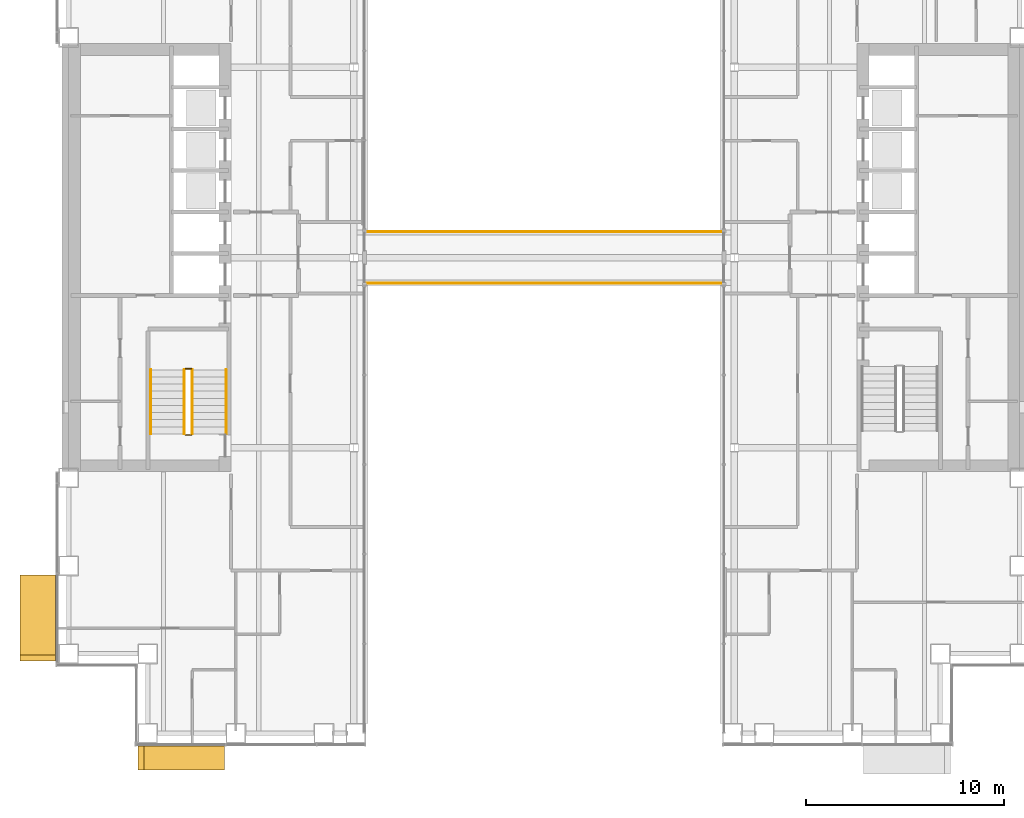
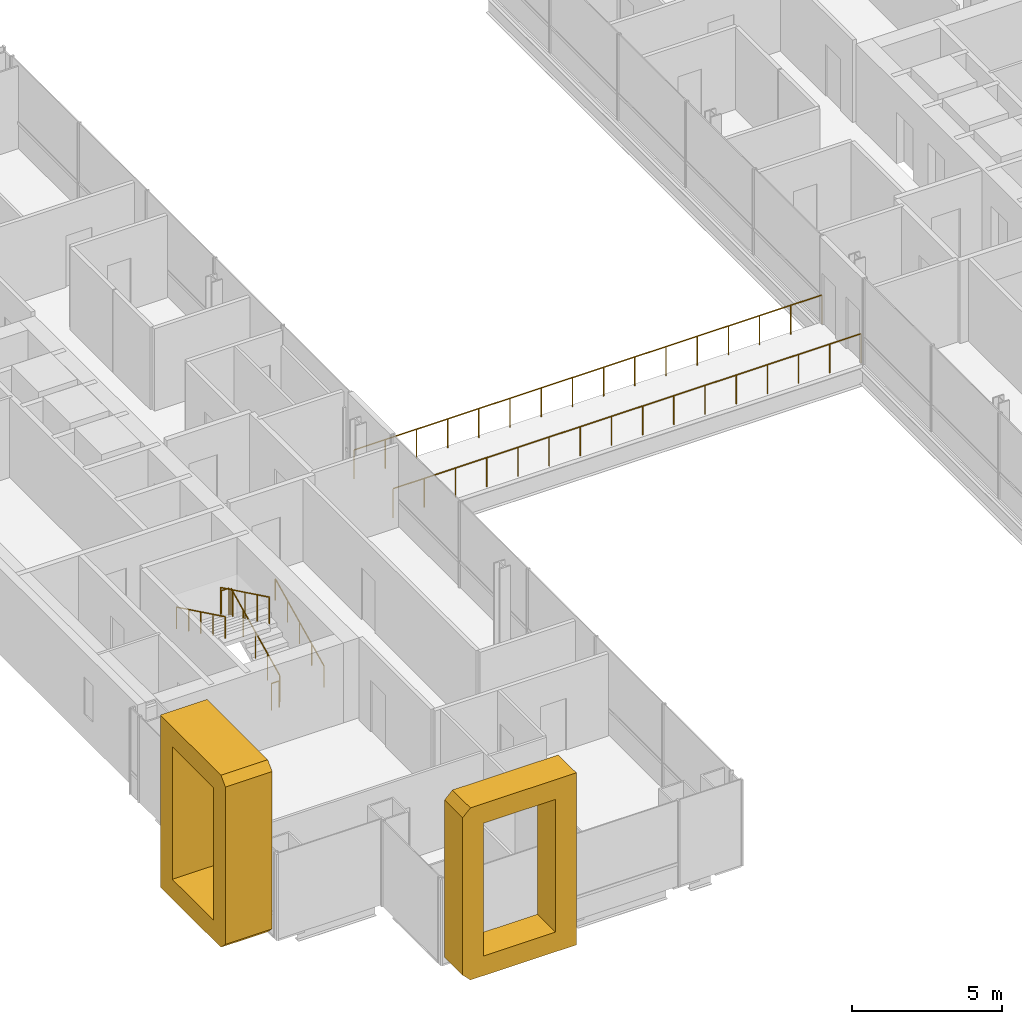
# One storey, part 18 of 21: 8 railings, 2 coverings.
"""IFC4 building model written with IfcOpenShell, lengths in metres."""

from ifc_helpers import new_model, si_unit, direction, frame, origin, origin_2d, place, context, subcontext, project, spatial, polyline, circle, outline, extrude, material, type_object, element, save


model = new_model("IFC4")

# Units and contexts
model_context = context("Model", 3, precision=1e-05, world=origin(), true_north=direction((0.0, 1.0)))
body_context = subcontext(model_context, "Body", "Model", "MODEL_VIEW")
ifc_project = project(units=[si_unit("LENGTHUNIT", "METRE"), si_unit("AREAUNIT", "SQUARE_METRE"), si_unit("VOLUMEUNIT", "CUBIC_METRE"), si_unit("PLANEANGLEUNIT", "RADIAN"), si_unit("MASSUNIT", "GRAM", prefix="KILO")], contexts=[model_context])

# Site, building, storey
site_placement = place(None, origin())
site = spatial("IfcSite", under=ifc_project, at=site_placement, CompositionType="ELEMENT")
building_placement = place(site_placement, origin())
building = spatial("IfcBuilding", under=site, at=building_placement, Name="Cobrizo Arcos Hotel Tower", CompositionType="ELEMENT")
storey_placement = place(building_placement, frame((0.0, 0.0, 74.0)))
storey = spatial("IfcBuildingStorey", under=building, at=storey_placement, Name="L17", CompositionType="ELEMENT", Elevation=74.0)

# Coverings
ifc_material_1 = material(Name="Aluminium 6063-T6 anodised bronze", Category="aluminium")
covering_type_1 = type_object("IfcCoveringType", Name="FIN-F 1200", PredefinedType="CLADDING", material=ifc_material_1)
covering_1_placement = place(storey_placement, frame((-20.5, -24.64990234375, 0.0), z_axis=(0.0, -1.0, 0.0), x_axis=(1.0, 0.0, 0.0)))
element("IfcCovering", 1, at=covering_1_placement, inside=storey, type_object=covering_type_1, Name="Fin frame 59", PredefinedType="CLADDING", context=body_context, shape_type="SweptSolid", body=[
    extrude(outline(polyline([(0.0, 0.300048828125), (0.300048828125, 0.0), (4.375, 0.0), (4.375, 7.0), (0.300048828125, 7.0), (0.0, 6.699951171875), (0.0, 0.300048828125)]), holes=[polyline([(3.574951171875, 0.800048828125), (0.800048828125, 0.800048828125), (0.800048828125, 6.199951171875), (3.574951171875, 6.199951171875), (3.574951171875, 0.800048828125)])]), origin(), (0.0, 0.0, 1.0), 1.2001953125),
])
covering_type_2 = type_object("IfcCoveringType", Name="FIN-F 1800", PredefinedType="CLADDING", material=ifc_material_1)
covering_2_placement = place(storey_placement, frame((-24.64990234375, -16.00830078125, 0.0), z_axis=(-1.0, 0.0, 0.0), x_axis=(0.0, -1.0, 0.0)))
element("IfcCovering", 2, at=covering_2_placement, inside=storey, type_object=covering_type_2, Name="Fin frame 82", PredefinedType="CLADDING", context=body_context, shape_type="SweptSolid", body=[
    extrude(outline(polyline([(0.0, 7.0), (0.0, 0.0), (4.041748046875, 0.0), (4.341796875, 0.300048828125), (4.341796875, 6.699951171875), (4.041748046875, 7.0), (0.0, 7.0)]), holes=[polyline([(3.541748046875, 0.800048828125), (0.800048828125, 0.800048828125), (0.800048828125, 6.199951171875), (3.541748046875, 6.199951171875), (3.541748046875, 0.800048828125)])]), origin(), (0.0, 0.0, 1.0), 1.800048828125),
])

# Railings
ifc_material_2 = material(Name="Stainless steel railing", Category="steel")
railing_type_1 = type_object("IfcRailingType", Name="Sky bridge guard 1200", PredefinedType="GUARDRAIL", material=ifc_material_2)
railing_1_placement = place(storey_placement, frame((-9.0, 1.300048828125, 0.0)))
element("IfcRailing", 3, at=railing_1_placement, inside=storey, type_object=railing_type_1, Name="Sky bridge north guard", PredefinedType="GUARDRAIL", context=body_context, shape_type="SweptSolid", body=[
    extrude(circle(Radius=0.02392578125, at=origin_2d()), frame((0.0, 0.0, 1.17578125), z_axis=(1.0, 0.0, 0.0), x_axis=(0.0, 1.0, 0.0)), (0.0, 0.0, 1.0), 18.0),
    extrude(circle(Radius=0.02099609375, at=origin_2d()), origin(), (0.0, 0.0, 1.0), 1.15185546875),
    extrude(circle(Radius=0.02099609375, at=origin_2d()), frame((1.199951171875, 0.0, 0.0)), (0.0, 0.0, 1.0), 1.15185546875),
    extrude(circle(Radius=0.02099609375, at=origin_2d()), frame((2.39990234375, 0.0, 0.0)), (0.0, 0.0, 1.0), 1.15185546875),
    extrude(circle(Radius=0.02099609375, at=origin_2d()), frame((3.60009765625, 0.0, 0.0)), (0.0, 0.0, 1.0), 1.15185546875),
    extrude(circle(Radius=0.02099609375, at=origin_2d()), frame((4.800048828125, 0.0, 0.0)), (0.0, 0.0, 1.0), 1.15185546875),
    extrude(circle(Radius=0.02099609375, at=origin_2d()), frame((6.0, 0.0, 0.0)), (0.0, 0.0, 1.0), 1.15185546875),
    extrude(circle(Radius=0.02099609375, at=origin_2d()), frame((7.199951171875, 0.0, 0.0)), (0.0, 0.0, 1.0), 1.15185546875),
    extrude(circle(Radius=0.02099609375, at=origin_2d()), frame((8.39990234375, 0.0, 0.0)), (0.0, 0.0, 1.0), 1.15185546875),
    extrude(circle(Radius=0.02099609375, at=origin_2d()), frame((9.60009765625, 0.0, 0.0)), (0.0, 0.0, 1.0), 1.15185546875),
    extrude(circle(Radius=0.02099609375, at=origin_2d()), frame((10.800048828125, 0.0, 0.0)), (0.0, 0.0, 1.0), 1.15185546875),
    extrude(circle(Radius=0.02099609375, at=origin_2d()), frame((12.0, 0.0, 0.0)), (0.0, 0.0, 1.0), 1.15185546875),
    extrude(circle(Radius=0.02099609375, at=origin_2d()), frame((13.199951171875, 0.0, 0.0)), (0.0, 0.0, 1.0), 1.15185546875),
    extrude(circle(Radius=0.02099609375, at=origin_2d()), frame((14.39990234375, 0.0, 0.0)), (0.0, 0.0, 1.0), 1.15185546875),
    extrude(circle(Radius=0.02099609375, at=origin_2d()), frame((15.60009765625, 0.0, 0.0)), (0.0, 0.0, 1.0), 1.15185546875),
    extrude(circle(Radius=0.02099609375, at=origin_2d()), frame((16.800048828125, 0.0, 0.0)), (0.0, 0.0, 1.0), 1.15185546875),
    extrude(circle(Radius=0.02099609375, at=origin_2d()), frame((18.0, 0.0, 0.0)), (0.0, 0.0, 1.0), 1.15185546875),
])
railing_2_placement = place(storey_placement, frame((-9.0, -1.300048828125, 0.0)))
element("IfcRailing", 4, at=railing_2_placement, inside=storey, type_object=railing_type_1, Name="Sky bridge south guard", PredefinedType="GUARDRAIL", context=body_context, shape_type="SweptSolid", body=[
    extrude(circle(Radius=0.02392578125, at=origin_2d()), frame((0.0, 0.0, 1.17578125), z_axis=(1.0, 0.0, 0.0), x_axis=(0.0, 1.0, 0.0)), (0.0, 0.0, 1.0), 18.0),
    extrude(circle(Radius=0.02099609375, at=origin_2d()), origin(), (0.0, 0.0, 1.0), 1.15185546875),
    extrude(circle(Radius=0.02099609375, at=origin_2d()), frame((1.199951171875, 0.0, 0.0)), (0.0, 0.0, 1.0), 1.15185546875),
    extrude(circle(Radius=0.02099609375, at=origin_2d()), frame((2.39990234375, 0.0, 0.0)), (0.0, 0.0, 1.0), 1.15185546875),
    extrude(circle(Radius=0.02099609375, at=origin_2d()), frame((3.60009765625, 0.0, 0.0)), (0.0, 0.0, 1.0), 1.15185546875),
    extrude(circle(Radius=0.02099609375, at=origin_2d()), frame((4.800048828125, 0.0, 0.0)), (0.0, 0.0, 1.0), 1.15185546875),
    extrude(circle(Radius=0.02099609375, at=origin_2d()), frame((6.0, 0.0, 0.0)), (0.0, 0.0, 1.0), 1.15185546875),
    extrude(circle(Radius=0.02099609375, at=origin_2d()), frame((7.199951171875, 0.0, 0.0)), (0.0, 0.0, 1.0), 1.15185546875),
    extrude(circle(Radius=0.02099609375, at=origin_2d()), frame((8.39990234375, 0.0, 0.0)), (0.0, 0.0, 1.0), 1.15185546875),
    extrude(circle(Radius=0.02099609375, at=origin_2d()), frame((9.60009765625, 0.0, 0.0)), (0.0, 0.0, 1.0), 1.15185546875),
    extrude(circle(Radius=0.02099609375, at=origin_2d()), frame((10.800048828125, 0.0, 0.0)), (0.0, 0.0, 1.0), 1.15185546875),
    extrude(circle(Radius=0.02099609375, at=origin_2d()), frame((12.0, 0.0, 0.0)), (0.0, 0.0, 1.0), 1.15185546875),
    extrude(circle(Radius=0.02099609375, at=origin_2d()), frame((13.199951171875, 0.0, 0.0)), (0.0, 0.0, 1.0), 1.15185546875),
    extrude(circle(Radius=0.02099609375, at=origin_2d()), frame((14.39990234375, 0.0, 0.0)), (0.0, 0.0, 1.0), 1.15185546875),
    extrude(circle(Radius=0.02099609375, at=origin_2d()), frame((15.60009765625, 0.0, 0.0)), (0.0, 0.0, 1.0), 1.15185546875),
    extrude(circle(Radius=0.02099609375, at=origin_2d()), frame((16.800048828125, 0.0, 0.0)), (0.0, 0.0, 1.0), 1.15185546875),
    extrude(circle(Radius=0.02099609375, at=origin_2d()), frame((18.0, 0.0, 0.0)), (0.0, 0.0, 1.0), 1.15185546875),
])
railing_type_2 = type_object("IfcRailingType", Name="Stair guard 1100", PredefinedType="GUARDRAIL", material=ifc_material_2)
railing_3_placement = place(storey_placement, frame((-17.75, -8.89990234375, 0.175048828125)))
element("IfcRailing", 5, at=railing_3_placement, inside=storey, type_object=railing_type_2, Name="L17 ST-W stair guard 1", PredefinedType="GUARDRAIL", context=body_context, shape_type="SweptSolid", body=[
    extrude(circle(Radius=0.02392578125, at=origin_2d()), frame((0.0, 0.0, 1.076171875), z_axis=(0.0, 0.899372665325, 0.437182809435), x_axis=(-1.0, 0.0, 0.0)), (0.0, 0.0, 1.0), 3.6025390625),
    extrude(circle(Radius=0.02099609375, at=origin_2d()), origin(), (0.0, 0.0, 1.0), 1.052001953125),
    extrude(circle(Radius=0.02099609375, at=origin_2d()), frame((0.0, 0.81005859375, 0.393798828125)), (0.0, 0.0, 1.0), 1.052001953125),
    extrude(circle(Radius=0.02099609375, at=origin_2d()), frame((0.0, 1.6201171875, 0.78759765625)), (0.0, 0.0, 1.0), 1.052001953125),
    extrude(circle(Radius=0.02099609375, at=origin_2d()), frame((0.0, 2.429931640625, 1.18115234375)), (0.0, 0.0, 1.0), 1.052001953125),
    extrude(circle(Radius=0.02099609375, at=origin_2d()), frame((0.0, 3.239990234375, 1.574951171875)), (0.0, 0.0, 1.0), 1.052001953125),
])
railing_4_placement = place(storey_placement, frame((-17.800048828125, -5.610107421875, 1.75)))
element("IfcRailing", 6, at=railing_4_placement, inside=storey, type_object=railing_type_2, Name="L17 ST-W stair guard 2", PredefinedType="GUARDRAIL", context=body_context, shape_type="SweptSolid", body=[
    extrude(circle(Radius=0.02392578125, at=origin_2d()), frame((0.0, 0.0, 1.076171875), z_axis=(-1.0, 0.0, 0.0), x_axis=(0.0, -1.0, 0.0)), (0.0, 0.0, 1.0), 0.300048828125),
    extrude(circle(Radius=0.02099609375, at=origin_2d()), origin(), (0.0, 0.0, 1.0), 1.052001953125),
    extrude(circle(Radius=0.02099609375, at=origin_2d()), frame((-0.300048828125, 0.0, 0.0)), (0.0, 0.0, 1.0), 1.052001953125),
])
railing_5_placement = place(storey_placement, frame((-18.14990234375, -5.659912109375, 1.925048828125)))
element("IfcRailing", 7, at=railing_5_placement, inside=storey, type_object=railing_type_2, Name="L17 ST-W stair guard 3", PredefinedType="GUARDRAIL", context=body_context, shape_type="SweptSolid", body=[
    extrude(circle(Radius=0.02392578125, at=origin_2d()), frame((0.0, 0.0, 1.076171875), z_axis=(0.0, -0.899372665325, 0.437182809435), x_axis=(1.0, 0.0, 0.0)), (0.0, 0.0, 1.0), 3.6025390625),
    extrude(circle(Radius=0.02099609375, at=origin_2d()), origin(), (0.0, 0.0, 1.0), 1.052001953125),
    extrude(circle(Radius=0.02099609375, at=origin_2d()), frame((0.0, -0.81005859375, 0.393798828125)), (0.0, 0.0, 1.0), 1.052001953125),
    extrude(circle(Radius=0.02099609375, at=origin_2d()), frame((0.0, -1.6201171875, 0.78759765625)), (0.0, 0.0, 1.0), 1.052001953125),
    extrude(circle(Radius=0.02099609375, at=origin_2d()), frame((0.0, -2.429931640625, 1.18115234375)), (0.0, 0.0, 1.0), 1.052001953125),
    extrude(circle(Radius=0.02099609375, at=origin_2d()), frame((0.0, -3.239990234375, 1.574951171875)), (0.0, 0.0, 1.0), 1.052001953125),
])
railing_6_placement = place(storey_placement, frame((-17.800048828125, -8.949951171875, 0.0)))
element("IfcRailing", 8, at=railing_6_placement, inside=storey, type_object=railing_type_2, Name="L17 ST-W stair guard 4", PredefinedType="GUARDRAIL", context=body_context, shape_type="SweptSolid", body=[
    extrude(circle(Radius=0.02392578125, at=origin_2d()), frame((0.0, 0.0, 1.076171875), z_axis=(-1.0, 0.0, 0.0), x_axis=(0.0, -1.0, 0.0)), (0.0, 0.0, 1.0), 0.300048828125),
    extrude(circle(Radius=0.02099609375, at=origin_2d()), origin(), (0.0, 0.0, 1.0), 1.052001953125),
    extrude(circle(Radius=0.02099609375, at=origin_2d()), frame((-0.300048828125, 0.0, 0.0)), (0.0, 0.0, 1.0), 1.052001953125),
])
railing_type_3 = type_object("IfcRailingType", Name="Stair handrail", PredefinedType="HANDRAIL", material=ifc_material_2)
railing_7_placement = place(storey_placement, frame((-16.050048828125, -8.89990234375, 0.175048828125)))
element("IfcRailing", 9, at=railing_7_placement, inside=storey, type_object=railing_type_3, Name="L17 ST-W stair handrail 1", PredefinedType="HANDRAIL", context=body_context, shape_type="SweptSolid", body=[
    extrude(circle(Radius=0.02392578125, at=origin_2d()), frame((0.0, 0.0, 0.8759765625), z_axis=(0.0, 0.899372665325, 0.437182809435), x_axis=(-1.0, 0.0, 0.0)), (0.0, 0.0, 1.0), 3.6025390625),
    extrude(circle(Radius=0.02099609375, at=origin_2d()), origin(), (0.0, 0.0, 1.0), 0.851806640625),
    extrude(circle(Radius=0.02099609375, at=origin_2d()), frame((0.0, 0.81005859375, 0.393798828125)), (0.0, 0.0, 1.0), 0.851806640625),
    extrude(circle(Radius=0.02099609375, at=origin_2d()), frame((0.0, 1.6201171875, 0.78759765625)), (0.0, 0.0, 1.0), 0.851806640625),
    extrude(circle(Radius=0.02099609375, at=origin_2d()), frame((0.0, 2.429931640625, 1.18115234375)), (0.0, 0.0, 1.0), 0.851806640625),
    extrude(circle(Radius=0.02099609375, at=origin_2d()), frame((0.0, 3.239990234375, 1.574951171875)), (0.0, 0.0, 1.0), 0.851806640625),
])
railing_8_placement = place(storey_placement, frame((-19.85009765625, -5.659912109375, 1.925048828125)))
element("IfcRailing", 10, at=railing_8_placement, inside=storey, type_object=railing_type_3, Name="L17 ST-W stair handrail 2", PredefinedType="HANDRAIL", context=body_context, shape_type="SweptSolid", body=[
    extrude(circle(Radius=0.02392578125, at=origin_2d()), frame((0.0, 0.0, 0.8759765625), z_axis=(0.0, -0.899372665325, 0.437182809435), x_axis=(1.0, 0.0, 0.0)), (0.0, 0.0, 1.0), 3.6025390625),
    extrude(circle(Radius=0.02099609375, at=origin_2d()), origin(), (0.0, 0.0, 1.0), 0.851806640625),
    extrude(circle(Radius=0.02099609375, at=origin_2d()), frame((0.0, -0.81005859375, 0.393798828125)), (0.0, 0.0, 1.0), 0.851806640625),
    extrude(circle(Radius=0.02099609375, at=origin_2d()), frame((0.0, -1.6201171875, 0.78759765625)), (0.0, 0.0, 1.0), 0.851806640625),
    extrude(circle(Radius=0.02099609375, at=origin_2d()), frame((0.0, -2.429931640625, 1.18115234375)), (0.0, 0.0, 1.0), 0.851806640625),
    extrude(circle(Radius=0.02099609375, at=origin_2d()), frame((0.0, -3.239990234375, 1.574951171875)), (0.0, 0.0, 1.0), 0.851806640625),
])

save(model, "model.ifc")
